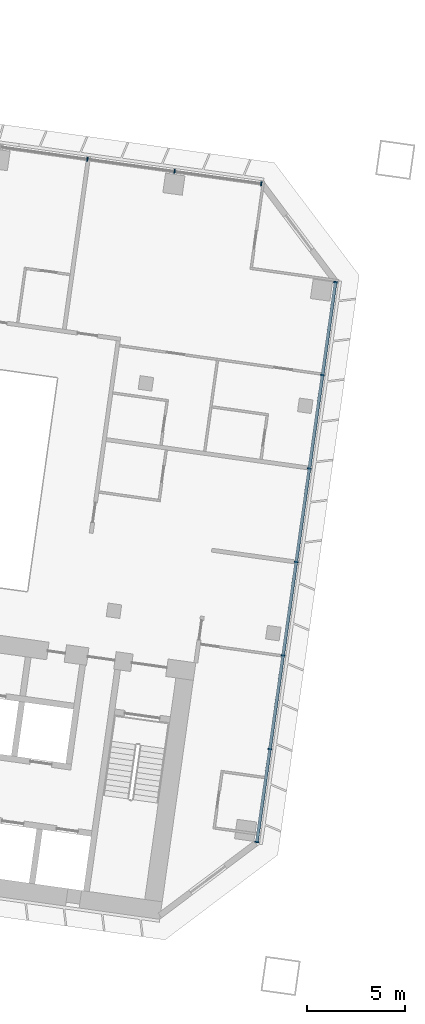
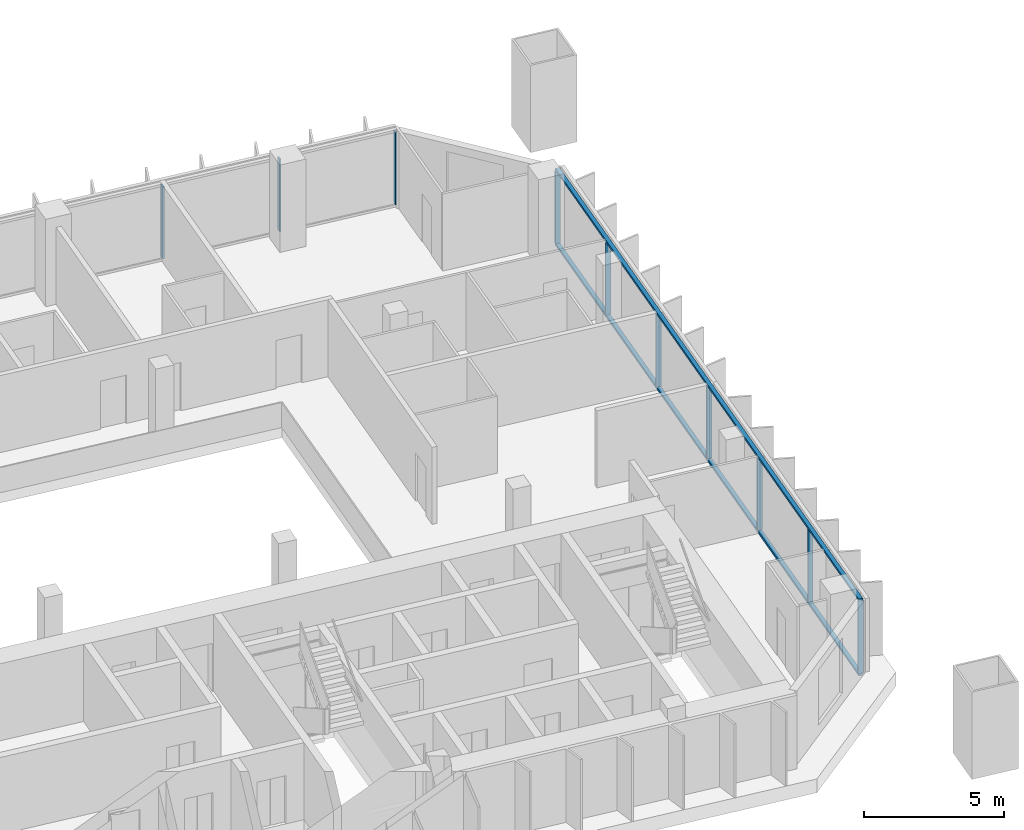
# One storey, part 6 of 24: 12 members, 2 elements without a shape of their own.
"""IFC4 building model written with IfcOpenShell, lengths in metres."""

from ifc_helpers import new_model, si_unit, direction, frame, origin, origin_2d, place, context, subcontext, project, spatial, rectangle, extrude, material, material_profile, profile_set, type_object, element, aggregate, save


model = new_model("IFC4")

# Units and contexts
model_context = context("Model", 3, precision=1e-05, world=origin(), true_north=direction((0.0, 1.0)))
body_context = subcontext(model_context, "Body", "Model", "MODEL_VIEW")
ifc_project = project(units=[si_unit("LENGTHUNIT", "METRE"), si_unit("AREAUNIT", "SQUARE_METRE"), si_unit("VOLUMEUNIT", "CUBIC_METRE"), si_unit("PLANEANGLEUNIT", "RADIAN"), si_unit("MASSUNIT", "GRAM", prefix="KILO")], contexts=[model_context])

# Site, building, storey
site_placement = place(None, origin())
site = spatial("IfcSite", under=ifc_project, at=site_placement, CompositionType="ELEMENT")
building_placement = place(site_placement, origin())
building = spatial("IfcBuilding", under=site, at=building_placement, Name="Mirante Cascada Hotel Towers", CompositionType="ELEMENT")
storey_placement = place(building_placement, frame((0.0, 0.0, 47.1)))
storey = spatial("IfcBuildingStorey", under=building, at=storey_placement, Name="L08", CompositionType="ELEMENT", Elevation=47.1)

# Curtain wall, members
ifc_material_1 = material(Name="Aluminium mullion and transom frame with clear laminated glass", Category="aluminium")
curtain_wall_type_1 = type_object("IfcCurtainWallType", Name="Ribbon curtain wall ECW1", PredefinedType="NOTDEFINED", material=ifc_material_1)
curtain_wall_1_placement = place(storey_placement, origin())
curtain_wall_1 = element("IfcCurtainWall", 1, at=curtain_wall_1_placement, inside=storey, type_object=curtain_wall_type_1, Name="Front ribbon wall T1 L08", PredefinedType="NOTDEFINED")
ifc_material_2 = material(Name="Anodised aluminium extrusion", Category="aluminium")
ifc_material_profile_1 = material_profile(ifc_material_2, rectangle(XDim=0.2, YDim=0.065, at=origin_2d()), Name="ECW1 MULLION 65x200")
ifc_profile_set_1 = profile_set([ifc_material_profile_1], Name="Anodised aluminium extrusion")
member_type_1 = type_object("IfcMemberType", Name="ECW1 mullion 65x200", PredefinedType="MULLION", material=ifc_profile_set_1)
member_1_placement = place(storey_placement, frame((-40.7892, 18.5516, 0.1), z_axis=(0.0, 0.0, 1.0), x_axis=(0.1391731, 0.9902681, 0.0)))
member_1 = element("IfcMember", 2, at=member_1_placement, type_object=member_type_1, Name="ECW1 mullion 13", PredefinedType="MULLION", context=body_context, shape_type="SweptSolid", body=[
    extrude(rectangle(XDim=0.2, YDim=0.065, at=origin_2d()), origin(), (0.0, 0.0, 1.0), 3.15),
])
member_2_placement = place(storey_placement, frame((-36.3417, 17.9265, 0.1), z_axis=(0.0, 0.0, 1.0), x_axis=(0.1391731, 0.9902681, 0.0)))
member_2 = element("IfcMember", 3, at=member_2_placement, type_object=member_type_1, Name="ECW1 mullion 14", PredefinedType="MULLION", context=body_context, shape_type="SweptSolid", body=[
    extrude(rectangle(XDim=0.2, YDim=0.065, at=origin_2d()), origin(), (0.0, 0.0, 1.0), 3.15),
])
member_3_placement = place(storey_placement, frame((-31.9265, 17.306, 0.1), z_axis=(0.0, 0.0, 1.0), x_axis=(0.1391731, 0.9902681, 0.0)))
member_3 = element("IfcMember", 4, at=member_3_placement, type_object=member_type_1, Name="ECW1 mullion 15", PredefinedType="MULLION", context=body_context, shape_type="SweptSolid", body=[
    extrude(rectangle(XDim=0.2, YDim=0.065, at=origin_2d()), origin(), (0.0, 0.0, 1.0), 3.15),
])
aggregate(curtain_wall_1, [member_1, member_2, member_3])

ifc_material_3 = material(Name="Aluminium mullion and transom frame with clear laminated glass", Category="aluminium")
curtain_wall_type_2 = type_object("IfcCurtainWallType", Name="End ribbon curtain wall ECW2", PredefinedType="NOTDEFINED", material=ifc_material_3)
curtain_wall_2_placement = place(storey_placement, origin())
curtain_wall_2 = element("IfcCurtainWall", 5, at=curtain_wall_2_placement, inside=storey, type_object=curtain_wall_type_2, Name="Inner end wall T1 L08", PredefinedType="NOTDEFINED")
ifc_material_4 = material(Name="Anodised aluminium extrusion", Category="aluminium")
ifc_material_profile_2 = material_profile(ifc_material_4, rectangle(XDim=0.2, YDim=0.065, at=origin_2d()), Name="ECW2 MULLION 65x200")
ifc_profile_set_2 = profile_set([ifc_material_profile_2], Name="Anodised aluminium extrusion")
member_type_2 = type_object("IfcMemberType", Name="ECW2 mullion 65x200", PredefinedType="MULLION", material=ifc_profile_set_2)
member_4_placement = place(storey_placement, frame((-28.1437, 12.2861, 0.1), z_axis=(0.0, 0.0, 1.0), x_axis=(0.9902681, -0.1391731, 0.0)))
member_4 = element("IfcMember", 6, at=member_4_placement, type_object=member_type_2, Name="ECW2 mullion 1", PredefinedType="MULLION", context=body_context, shape_type="SweptSolid", body=[
    extrude(rectangle(XDim=0.2, YDim=0.065, at=origin_2d()), origin(), (0.0, 0.0, 1.0), 3.15),
])
member_5_placement = place(storey_placement, frame((-28.809, 7.5524, 0.1), z_axis=(0.0, 0.0, 1.0), x_axis=(0.9902681, -0.1391731, 0.0)))
member_5 = element("IfcMember", 7, at=member_5_placement, type_object=member_type_2, Name="ECW2 mullion 2", PredefinedType="MULLION", context=body_context, shape_type="SweptSolid", body=[
    extrude(rectangle(XDim=0.2, YDim=0.065, at=origin_2d()), origin(), (0.0, 0.0, 1.0), 3.15),
])
member_6_placement = place(storey_placement, frame((-29.4788, 2.7867, 0.1), z_axis=(0.0, 0.0, 1.0), x_axis=(0.9902681, -0.1391731, 0.0)))
member_6 = element("IfcMember", 8, at=member_6_placement, type_object=member_type_2, Name="ECW2 mullion 3", PredefinedType="MULLION", context=body_context, shape_type="SweptSolid", body=[
    extrude(rectangle(XDim=0.2, YDim=0.065, at=origin_2d()), origin(), (0.0, 0.0, 1.0), 3.15),
])
member_7_placement = place(storey_placement, frame((-30.1485, -1.9791, 0.1), z_axis=(0.0, 0.0, 1.0), x_axis=(0.9902681, -0.1391731, 0.0)))
member_7 = element("IfcMember", 9, at=member_7_placement, type_object=member_type_2, Name="ECW2 mullion 4", PredefinedType="MULLION", context=body_context, shape_type="SweptSolid", body=[
    extrude(rectangle(XDim=0.2, YDim=0.065, at=origin_2d()), origin(), (0.0, 0.0, 1.0), 3.15),
])
member_8_placement = place(storey_placement, frame((-30.8183, -6.7449, 0.1), z_axis=(0.0, 0.0, 1.0), x_axis=(0.9902681, -0.1391731, 0.0)))
member_8 = element("IfcMember", 10, at=member_8_placement, type_object=member_type_2, Name="ECW2 mullion 5", PredefinedType="MULLION", context=body_context, shape_type="SweptSolid", body=[
    extrude(rectangle(XDim=0.2, YDim=0.065, at=origin_2d()), origin(), (0.0, 0.0, 1.0), 3.15),
])
member_9_placement = place(storey_placement, frame((-31.4881, -11.5107, 0.1), z_axis=(0.0, 0.0, 1.0), x_axis=(0.9902681, -0.1391731, 0.0)))
member_9 = element("IfcMember", 11, at=member_9_placement, type_object=member_type_2, Name="ECW2 mullion 6", PredefinedType="MULLION", context=body_context, shape_type="SweptSolid", body=[
    extrude(rectangle(XDim=0.2, YDim=0.065, at=origin_2d()), origin(), (0.0, 0.0, 1.0), 3.15),
])
member_10_placement = place(storey_placement, frame((-32.1534, -16.2443, 0.1), z_axis=(0.0, 0.0, 1.0), x_axis=(0.9902681, -0.1391731, 0.0)))
member_10 = element("IfcMember", 12, at=member_10_placement, type_object=member_type_2, Name="ECW2 mullion 7", PredefinedType="MULLION", context=body_context, shape_type="SweptSolid", body=[
    extrude(rectangle(XDim=0.2, YDim=0.065, at=origin_2d()), origin(), (0.0, 0.0, 1.0), 3.15),
])
ifc_material_5 = material(Name="Anodised aluminium extrusion", Category="aluminium")
ifc_material_profile_3 = material_profile(ifc_material_5, rectangle(XDim=0.16, YDim=0.1, at=origin_2d()), Name="ECW2 TRANSOM 100x160")
ifc_profile_set_3 = profile_set([ifc_material_profile_3], Name="Anodised aluminium extrusion")
member_type_3 = type_object("IfcMemberType", Name="ECW2 transom 100x160", PredefinedType="USERDEFINED", material=ifc_profile_set_3)
member_11_placement = place(storey_placement, frame((-28.1392, 12.3182, 0.05), z_axis=(-0.1391723, -0.9902682, 0.0), x_axis=(0.9902682, -0.1391723, 0.0)))
member_11 = element("IfcMember", 13, at=member_11_placement, type_object=member_type_3, Name="ECW2 sill transom", ObjectType="TRANSOM", PredefinedType="USERDEFINED", context=body_context, shape_type="SweptSolid", body=[
    extrude(rectangle(XDim=0.16, YDim=0.1, at=origin_2d()), origin(), (0.0, 0.0, 1.0), 28.8757),
])
member_12_placement = place(storey_placement, frame((-28.1392, 12.3182, 3.3), z_axis=(-0.1391723, -0.9902682, 0.0), x_axis=(0.9902682, -0.1391723, 0.0)))
member_12 = element("IfcMember", 14, at=member_12_placement, type_object=member_type_3, Name="ECW2 head transom", ObjectType="TRANSOM", PredefinedType="USERDEFINED", context=body_context, shape_type="SweptSolid", body=[
    extrude(rectangle(XDim=0.16, YDim=0.1, at=origin_2d()), origin(), (0.0, 0.0, 1.0), 28.8757),
])
aggregate(curtain_wall_2, [member_11, member_12, member_4, member_5, member_6, member_7, member_8, member_9, member_10])

save(model, "model.ifc")
